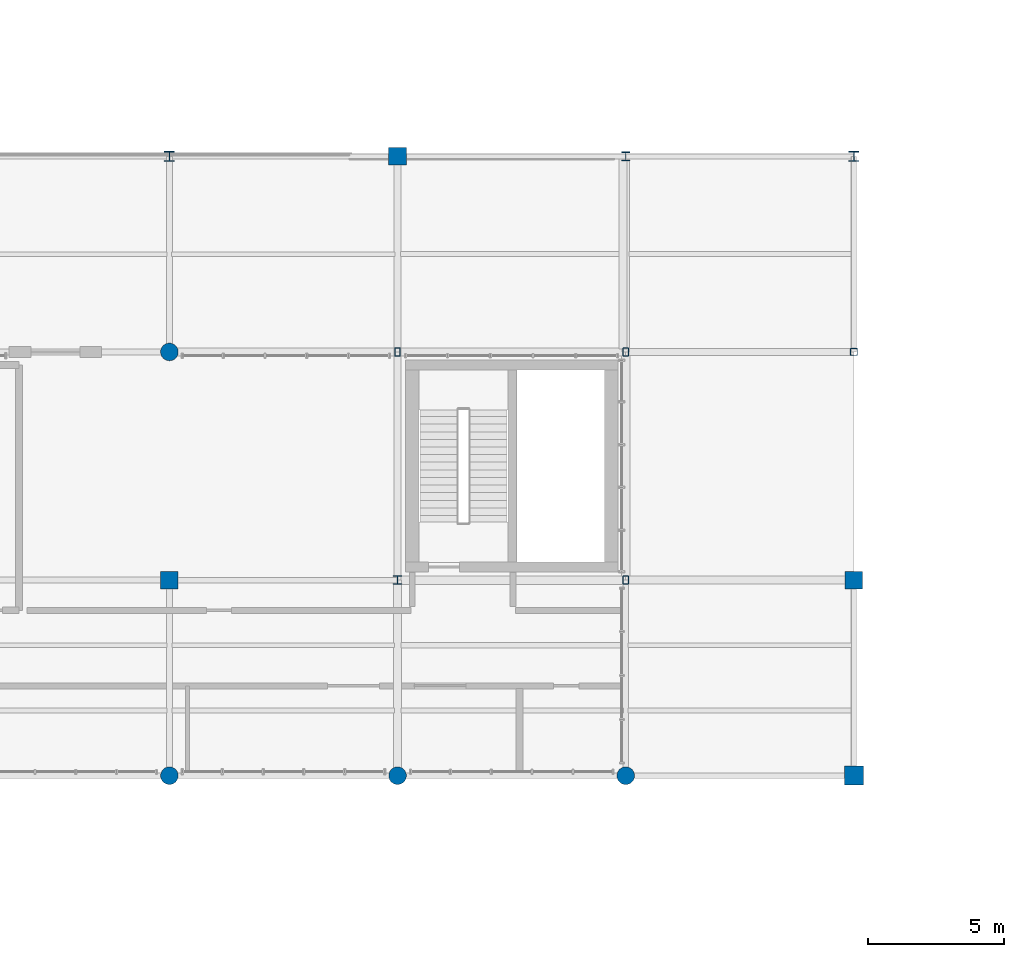
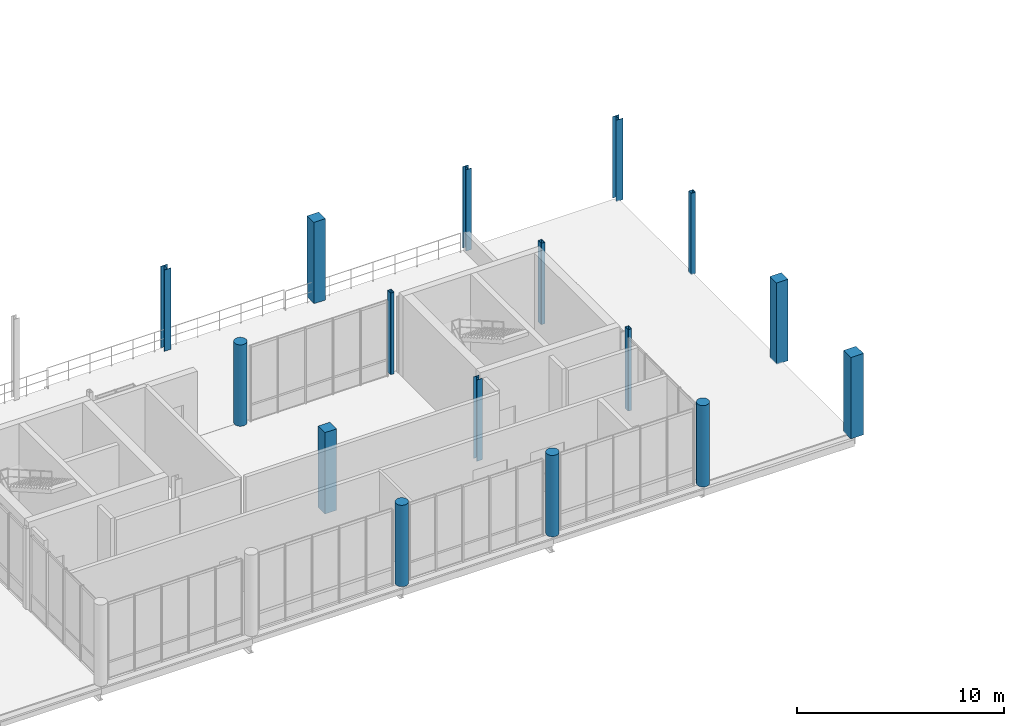
# One storey, part 3 of 81: 16 columns.
"""IFC4 building model written with IfcOpenShell, lengths in metres."""

import ifcopenshell
import ifcopenshell.guid

model = None  # the IFC model being written
_history = None  # IfcOwnerHistory: only IFC2X3 demands one
_inside = {}  # id of a spatial element -> (the spatial element, [elements in it])
_under = {}  # id of a project, library or spatial element -> (it, [spatial elements below it])
_declared = {}  # id of a project -> (the project, [libraries it declares])
_typed = {}  # id of a type object -> (the type object, [elements of that type])
_made_of = {}  # id of a material, layer set ... -> (it, [elements and type objects made of it])


def new_model(schema):
    """Start an empty IFC model of exactly this schema.

    Asked for "IFC4X3", IfcOpenShell would pick the latest addendum, in which some entities
    have other attributes; the version numbers below select the first issue.
    IFC2X3 requires an IfcOwnerHistory on every rooted entity: one is made here for all.
    """
    global model, _history
    if schema == "IFC4X3":
        model = ifcopenshell.file(schema_version=(4, 3, 0, 0))
    else:
        model = ifcopenshell.file(schema=schema)
    _inside.clear()
    _under.clear()
    _declared.clear()
    _typed.clear()
    _made_of.clear()
    _history = None
    if model.schema == "IFC2X3":
        org = make("IfcOrganization", Name="unknown")
        user = make(
            "IfcPersonAndOrganization",
            ThePerson=make("IfcPerson", FamilyName="unknown"),
            TheOrganization=org,
        )
        app = make(
            "IfcApplication",
            ApplicationDeveloper=org,
            Version="unknown",
            ApplicationFullName="unknown",
            ApplicationIdentifier="unknown",
        )
        _history = make(
            "IfcOwnerHistory",
            OwningUser=user,
            OwningApplication=app,
            ChangeAction="ADDED",
            CreationDate=0,
        )
    return model


def make(cls, **values):
    """One entity of the class cls with the attributes given. An attribute that is None is left unset."""
    return model.create_entity(
        cls, **{name: value for name, value in values.items() if value is not None}
    )


def rooted(cls, **values):
    """An entity with a GlobalId (a new one), such as an element, a storey or a relation."""
    return make(cls, GlobalId=ifcopenshell.guid.new(), OwnerHistory=_history, **values)


def si_unit(unit_type, name, prefix=None):
    """IfcSIUnit, for example si_unit("LENGTHUNIT", "METRE", prefix="MILLI")."""
    return make("IfcSIUnit", UnitType=unit_type, Prefix=prefix, Name=name)


def assignment(units):
    """IfcUnitAssignment: the units of a project."""
    return None if units is None else make("IfcUnitAssignment", Units=units)


def point(xyz):
    """IfcCartesianPoint."""
    return None if xyz is None else make("IfcCartesianPoint", Coordinates=xyz)


def direction(xyz):
    """IfcDirection."""
    return None if xyz is None else make("IfcDirection", DirectionRatios=xyz)


def frame(location, z_axis=None, x_axis=None):
    """IfcAxis2Placement3D, a coordinate frame: its origin and axes. An axis left out is left unset."""
    return make(
        "IfcAxis2Placement3D",
        Location=point(location),
        Axis=direction(z_axis),
        RefDirection=direction(x_axis),
    )


def frame_2d(location, x_axis=None):
    """IfcAxis2Placement2D, a coordinate frame in the plane: its origin and x axis."""
    return make(
        "IfcAxis2Placement2D", Location=point(location), RefDirection=direction(x_axis)
    )


def origin_with_axes():
    """The frame at (0, 0, 0) with the z axis (0, 0, 1) and the x axis (1, 0, 0) written out."""
    return frame((0.0, 0.0, 0.0), z_axis=(0.0, 0.0, 1.0), x_axis=(1.0, 0.0, 0.0))


def origin_2d_with_axis():
    """The frame at (0, 0) in the plane with the x axis (1, 0) written out."""
    return frame_2d((0.0, 0.0), x_axis=(1.0, 0.0))


def place(relative_to, where):
    """IfcLocalPlacement: puts the frame where relative to a parent placement (None: the world)."""
    return make(
        "IfcLocalPlacement", PlacementRelTo=relative_to, RelativePlacement=where
    )


def context(
    kind, dimensions, precision=None, world=None, true_north=None, identifier=None
):
    """IfcGeometricRepresentationContext, for example the 3D "Model" context."""
    return make(
        "IfcGeometricRepresentationContext",
        ContextIdentifier=identifier,
        ContextType=kind,
        CoordinateSpaceDimension=dimensions,
        Precision=precision,
        WorldCoordinateSystem=world,
        TrueNorth=true_north,
    )


def subcontext(parent, identifier, kind, view, scale=None):
    """IfcGeometricRepresentationSubContext, for example "Body" below "Model"."""
    return make(
        "IfcGeometricRepresentationSubContext",
        ContextIdentifier=identifier,
        ContextType=kind,
        ParentContext=parent,
        TargetScale=scale,
        TargetView=view,
    )


def project(units=None, contexts=None):
    """IfcProject with its units and contexts."""
    return rooted(
        "IfcProject",
        Name="project",
        RepresentationContexts=contexts,
        UnitsInContext=assignment(units),
    )


def spatial(cls, under=None, at=None, **own):
    """A site, building, storey or space (cls), placed at a placement, below another one or the project."""
    s = rooted(cls, ObjectPlacement=at, **own)
    if under is not None:
        _under.setdefault(under.id(), (under, []))[1].append(s)
    return s


def profile(cls, at=None, kind="AREA", **sizes):
    """A parametric profile (cls). Its sizes go by their IFC names, for example OverallWidth=200.0."""
    return make(cls, ProfileType=kind, Position=at, **sizes)


def rectangle(**sizes):
    """IfcRectangleProfileDef."""
    return profile("IfcRectangleProfileDef", **sizes)


def hollow_rectangle(**sizes):
    """IfcRectangleHollowProfileDef."""
    return profile("IfcRectangleHollowProfileDef", **sizes)


def circle(**sizes):
    """IfcCircleProfileDef."""
    return profile("IfcCircleProfileDef", **sizes)


def i_section(**sizes):
    """IfcIShapeProfileDef."""
    return profile("IfcIShapeProfileDef", **sizes)


def extrude(swept, where, along, depth):
    """IfcExtrudedAreaSolid: the profile swept, set in the frame where, extruded along a direction by depth."""
    return make(
        "IfcExtrudedAreaSolid",
        SweptArea=swept,
        Position=where,
        ExtrudedDirection=direction(along),
        Depth=depth,
    )


def shape(context_of_items, identifier, shape_type, items):
    """IfcShapeRepresentation: the items that make up one representation, for example the "Body"."""
    return make(
        "IfcShapeRepresentation",
        ContextOfItems=context_of_items,
        RepresentationIdentifier=identifier,
        RepresentationType=shape_type,
        Items=items,
    )


def material(Name=None, Category=None):
    """IfcMaterial."""
    return make("IfcMaterial", Name=Name, Category=Category)


def material_profile(
    of_material, cross_section, Name=None, Category=None, Priority=None
):
    """IfcMaterialProfile: a cross section and its material."""
    return make(
        "IfcMaterialProfile",
        Name=Name,
        Material=of_material,
        Profile=cross_section,
        Priority=Priority,
        Category=Category,
    )


def profile_set(profiles, Name=None, composite=None):
    """IfcMaterialProfileSet."""
    return make(
        "IfcMaterialProfileSet",
        Name=Name,
        MaterialProfiles=profiles,
        CompositeProfile=composite,
    )


def made_of(thing, what):
    """Note that an element or type object is made of a material, layer set ...; save() writes the relation."""
    if what is not None:
        _made_of.setdefault(what.id(), (what, []))[1].append(thing)
    return thing


def type_object(cls, material=None, **own):
    """A type object (cls), such as IfcWallType, which elements share."""
    return made_of(rooted(cls, **own), material)


def element(
    cls,
    number,
    at=None,
    inside=None,
    cuts=None,
    type_object=None,
    material=None,
    context=None,
    identifier="Body",
    shape_type=None,
    held_by="IfcProductDefinitionShape",
    body=None,
    shapes=None,
    **own,
):
    """One element of the class cls, such as IfcWall. Its Tag is "e" and its number.

    at: its placement. inside: the storey or other place that contains it. cuts: it is an
    opening in that element (IfcRelVoidsElement). A single representation is given by context,
    identifier, shape_type and body (its items); several are given by shapes. held_by: the class
    of the entity that holds the representations. save() writes the other relations.
    """
    e = rooted(cls, Tag="e%d" % number, ObjectPlacement=at, **own)
    if body is not None:
        shapes = [shape(context, identifier, shape_type, body)]
    if shapes is not None:
        e.Representation = make(held_by, Representations=shapes)
    if inside is not None:
        _inside.setdefault(inside.id(), (inside, []))[1].append(e)
    if cuts is not None:
        rooted(
            "IfcRelVoidsElement", RelatingBuildingElement=cuts, RelatedOpeningElement=e
        )
    if type_object is not None:
        _typed.setdefault(type_object.id(), (type_object, []))[1].append(e)
    return made_of(e, material)


def aggregate(whole, parts):
    """IfcRelAggregates: a whole, such as a stair, and the parts it consists of."""
    return rooted("IfcRelAggregates", RelatingObject=whole, RelatedObjects=parts)


def save(model, path):
    """Write the relations noted so far, then the file.

    IfcRelAggregates (storeys below a building ...), IfcRelContainedInSpatialStructure (elements
    in a storey), IfcRelDefinesByType, IfcRelAssociatesMaterial and IfcRelDeclares: one each for
    every whole, place, type object, material and project.
    """
    for whole, parts in _under.values():
        aggregate(whole, parts)
    for where, things in _inside.values():
        rooted(
            "IfcRelContainedInSpatialStructure",
            RelatedElements=things,
            RelatingStructure=where,
        )
    for kind, things in _typed.values():
        rooted("IfcRelDefinesByType", RelatedObjects=things, RelatingType=kind)
    for what, things in _made_of.values():
        rooted("IfcRelAssociatesMaterial", RelatedObjects=things, RelatingMaterial=what)
    for by, libraries in _declared.values():
        rooted("IfcRelDeclares", RelatingContext=by, RelatedDefinitions=libraries)
    model.write(path)


model = new_model("IFC4")

# Units and contexts
model_context = context("Model", 3, precision=1e-05, world=origin_with_axes(), true_north=direction((0.0, 1.0)))
body_context = subcontext(model_context, "Body", "Model", "MODEL_VIEW")
ifc_project = project(units=[si_unit("LENGTHUNIT", "METRE"), si_unit("AREAUNIT", "SQUARE_METRE"), si_unit("VOLUMEUNIT", "CUBIC_METRE"), si_unit("PLANEANGLEUNIT", "RADIAN"), si_unit("MASSUNIT", "GRAM", prefix="KILO"), si_unit("THERMODYNAMICTEMPERATUREUNIT", "KELVIN")], contexts=[model_context])

# Site, building, storey
site_placement = place(None, origin_with_axes())
site = spatial("IfcSite", under=ifc_project, at=site_placement, CompositionType="ELEMENT")
building_placement = place(site_placement, origin_with_axes())
building = spatial("IfcBuilding", under=site, at=building_placement, Name="Montbau Bow Law Courts", CompositionType="ELEMENT")
storey_placement = place(building_placement, frame((0.0, 0.0, 24.9), z_axis=(0.0, 0.0, 1.0), x_axis=(1.0, 0.0, 0.0)))
storey = spatial("IfcBuildingStorey", under=building, at=storey_placement, Name="L05", CompositionType="ELEMENT", Elevation=24.9)

# Columns
ifc_material_1 = material(Name="Steel CSA G40.21 Grade 350W (350 MPa)", Category="steel")
ifc_material_profile_1 = material_profile(ifc_material_1, hollow_rectangle(XDim=0.254, YDim=0.254, WallThickness=0.0127, InnerFilletRadius=0.0254, OuterFilletRadius=0.0127, at=origin_2d_with_axis()), Name="HSS254X254X13", Category="Main", Priority=0)
ifc_profile_set_1 = profile_set([ifc_material_profile_1], Name="Steel CSA G40.21 Grade 350W (350 MPa)")
column_type_1 = type_object("IfcColumnType", Name="C-HSS-01", PredefinedType="COLUMN", material=ifc_profile_set_1)
column_1_placement = place(None, frame((97.2, 54.6, 24.9), z_axis=(0.0, 0.0, 1.0), x_axis=(1.0, 0.0, 0.0)))
element("IfcColumn", 1, at=column_1_placement, inside=storey, type_object=column_type_1, Name="C-L05-S0887:col2_0887", PredefinedType="COLUMN", context=body_context, shape_type="SweptSolid", body=[
    extrude(hollow_rectangle(XDim=0.254, YDim=0.254, WallThickness=0.0127, InnerFilletRadius=0.0254, OuterFilletRadius=0.0127, at=origin_2d_with_axis()), origin_with_axes(), (0.0, 0.0, 1.0), 4.8),
])
ifc_material_2 = material(Name="Steel CSA G40.21 Grade 350WT (350 MPa)", Category="steel")
ifc_material_profile_2 = material_profile(ifc_material_2, hollow_rectangle(XDim=0.203, YDim=0.305, WallThickness=0.0127, InnerFilletRadius=0.0254, OuterFilletRadius=0.0127, at=origin_2d_with_axis()), Name="HSS305X203X13", Category="Main", Priority=0)
ifc_profile_set_2 = profile_set([ifc_material_profile_2], Name="Steel CSA G40.21 Grade 350WT (350 MPa)")
column_type_2 = type_object("IfcColumnType", Name="C-HSS-03", PredefinedType="COLUMN", material=ifc_profile_set_2)
for number, where, z_axis, x_axis, name in (
    (2, (80.4, 54.6, 24.9), (0.0, 0.0, 1.0), (1.0, 0.0, 0.0), "C-L05-S0879:col2_0879"),
    (3, (88.8, 46.2, 24.9), (0.0, 0.0, 1.0), (1.0, 0.0, 0.0), "C-L05-S0882:col2_0882"),
    (4, (88.8, 54.6, 24.9), (0.0, 0.0, 1.0), (1.0, 0.0, 0.0), "C-L05-S0883:col2_0883"),
):
    element("IfcColumn", number, at=place(None, frame(where, z_axis=z_axis, x_axis=x_axis)), inside=storey, type_object=column_type_2, Name=name, PredefinedType="COLUMN", context=body_context, shape_type="SweptSolid", body=[
        extrude(hollow_rectangle(XDim=0.203, YDim=0.305, WallThickness=0.0127, InnerFilletRadius=0.0254, OuterFilletRadius=0.0127, at=origin_2d_with_axis()), origin_with_axes(), (0.0, 0.0, 1.0), 4.8),
    ])
ifc_material_3 = material(Name="Concrete CSA A23.1 f'c 40 MPa", Category="concrete")
ifc_material_profile_3 = material_profile(ifc_material_3, rectangle(XDim=0.7, YDim=0.7, at=origin_2d_with_axis()), Name="RC700X700", Category="Main", Priority=0)
ifc_profile_set_3 = profile_set([ifc_material_profile_3], Name="Concrete CSA A23.1 f'c 40 MPa")
column_type_3 = type_object("IfcColumnType", Name="C-RC-04", PredefinedType="COLUMN", material=ifc_profile_set_3)
column_2_placement = place(None, frame((97.2, 39.0, 24.9), z_axis=(0.0, 0.0, 1.0), x_axis=(1.0, 0.0, 0.0)))
element("IfcColumn", 5, at=column_2_placement, inside=storey, type_object=column_type_3, Name="C-L05-S0885:col2_0885", PredefinedType="COLUMN", context=body_context, shape_type="SweptSolid", body=[
    extrude(rectangle(XDim=0.7, YDim=0.7, at=origin_2d_with_axis()), origin_with_axes(), (0.0, 0.0, 1.0), 4.8),
])
ifc_material_profile_4 = material_profile(ifc_material_3, rectangle(XDim=0.65, YDim=0.65, at=origin_2d_with_axis()), Name="RC650X650", Category="Main", Priority=0)
ifc_profile_set_4 = profile_set([ifc_material_profile_4], Name="Concrete CSA A23.1 f'c 40 MPa")
column_type_4 = type_object("IfcColumnType", Name="C-RC-05", PredefinedType="COLUMN", material=ifc_profile_set_4)
for number, where, z_axis, x_axis, name in (
    (6, (72.0, 46.2, 24.9), (0.0, 0.0, 1.0), (1.0, 0.0, 0.0), "C-L05-S0874:col2_0874"),
    (7, (80.4, 61.8, 24.9), (0.0, 0.0, 1.0), (1.0, 0.0, 0.0), "C-L05-S0880:col2_0880"),
    (8, (97.2, 46.2, 24.9), (0.0, 0.0, 1.0), (1.0, 0.0, 0.0), "C-L05-S0886:col2_0886"),
):
    element("IfcColumn", number, at=place(None, frame(where, z_axis=z_axis, x_axis=x_axis)), inside=storey, type_object=column_type_4, Name=name, PredefinedType="COLUMN", context=body_context, shape_type="SweptSolid", body=[
        extrude(rectangle(XDim=0.65, YDim=0.65, at=origin_2d_with_axis()), origin_with_axes(), (0.0, 0.0, 1.0), 4.8),
    ])
ifc_material_profile_5 = material_profile(ifc_material_3, circle(Radius=0.325, at=origin_2d_with_axis()), Name="RC650D", Category="Main", Priority=0)
ifc_profile_set_5 = profile_set([ifc_material_profile_5], Name="Concrete CSA A23.1 f'c 40 MPa")
column_type_5 = type_object("IfcColumnType", Name="C-RC-08", PredefinedType="COLUMN", material=ifc_profile_set_5)
for number, where, z_axis, x_axis, name in (
    (9, (72.0, 39.0, 24.9), (0.0, 0.0, 1.0), (1.0, 0.0, 0.0), "C-L05-S0873:col2_0873"),
    (10, (72.0, 54.6, 24.9), (0.0, 0.0, 1.0), (1.0, 0.0, 0.0), "C-L05-S0875:col2_0875"),
    (11, (80.4, 39.0, 24.9), (0.0, 0.0, 1.0), (1.0, 0.0, 0.0), "C-L05-S0877:col2_0877"),
    (12, (88.8, 39.0, 24.9), (0.0, 0.0, 1.0), (1.0, 0.0, 0.0), "C-L05-S0881:col2_0881"),
):
    element("IfcColumn", number, at=place(None, frame(where, z_axis=z_axis, x_axis=x_axis)), inside=storey, type_object=column_type_5, Name=name, PredefinedType="COLUMN", context=body_context, shape_type="SweptSolid", body=[
        extrude(circle(Radius=0.325, at=origin_2d_with_axis()), origin_with_axes(), (0.0, 0.0, 1.0), 4.8),
    ])
ifc_material_profile_6 = material_profile(ifc_material_1, i_section(OverallWidth=0.373, OverallDepth=0.368, WebThickness=0.015, FlangeThickness=0.0239, at=origin_2d_with_axis()), Name="W360X179", Category="Main", Priority=0)
ifc_profile_set_6 = profile_set([ifc_material_profile_6], Name="Steel CSA G40.21 Grade 350W (350 MPa)")
column_type_6 = type_object("IfcColumnType", Name="C-STL-04", PredefinedType="COLUMN", material=ifc_profile_set_6)
for number, where, z_axis, x_axis, name in (
    (13, (72.0, 61.8, 24.9), (0.0, 0.0, 1.0), (1.0, 0.0, 0.0), "C-L05-S0876:col2_0876"),
    (14, (97.2, 61.8, 24.9), (0.0, 0.0, 1.0), (1.0, 0.0, 0.0), "C-L05-S0888:col2_0888"),
):
    element("IfcColumn", number, at=place(None, frame(where, z_axis=z_axis, x_axis=x_axis)), inside=storey, type_object=column_type_6, Name=name, PredefinedType="COLUMN", context=body_context, shape_type="SweptSolid", body=[
        extrude(i_section(OverallWidth=0.373, OverallDepth=0.368, WebThickness=0.015, FlangeThickness=0.0239, at=origin_2d_with_axis()), origin_with_axes(), (0.0, 0.0, 1.0), 4.8),
    ])
ifc_material_profile_7 = material_profile(ifc_material_1, i_section(OverallWidth=0.309, OverallDepth=0.323, WebThickness=0.014, FlangeThickness=0.0229, at=origin_2d_with_axis()), Name="W310X143", Category="Main", Priority=0)
ifc_profile_set_7 = profile_set([ifc_material_profile_7], Name="Steel CSA G40.21 Grade 350W (350 MPa)")
column_type_7 = type_object("IfcColumnType", Name="C-STL-06", PredefinedType="COLUMN", material=ifc_profile_set_7)
for number, where, z_axis, x_axis, name in (
    (15, (80.4, 46.2, 24.9), (0.0, 0.0, 1.0), (1.0, 0.0, 0.0), "C-L05-S0878:col2_0878"),
    (16, (88.8, 61.8, 24.9), (0.0, 0.0, 1.0), (1.0, 0.0, 0.0), "C-L05-S0884:col2_0884"),
):
    element("IfcColumn", number, at=place(None, frame(where, z_axis=z_axis, x_axis=x_axis)), inside=storey, type_object=column_type_7, Name=name, PredefinedType="COLUMN", context=body_context, shape_type="SweptSolid", body=[
        extrude(i_section(OverallWidth=0.309, OverallDepth=0.323, WebThickness=0.014, FlangeThickness=0.0229, at=origin_2d_with_axis()), origin_with_axes(), (0.0, 0.0, 1.0), 4.8),
    ])

save(model, "model.ifc")
